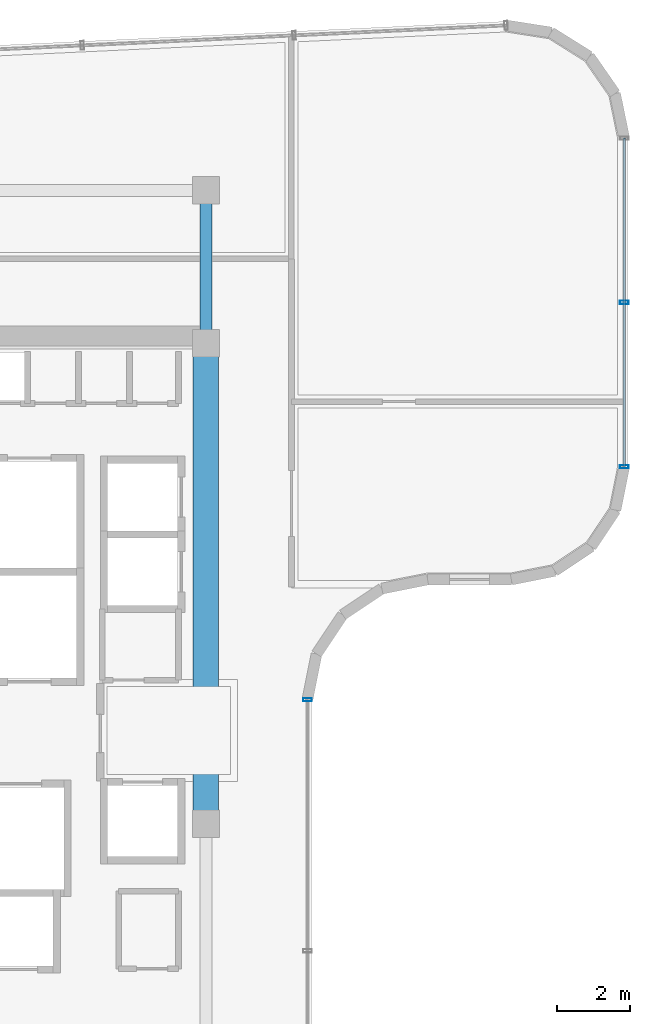
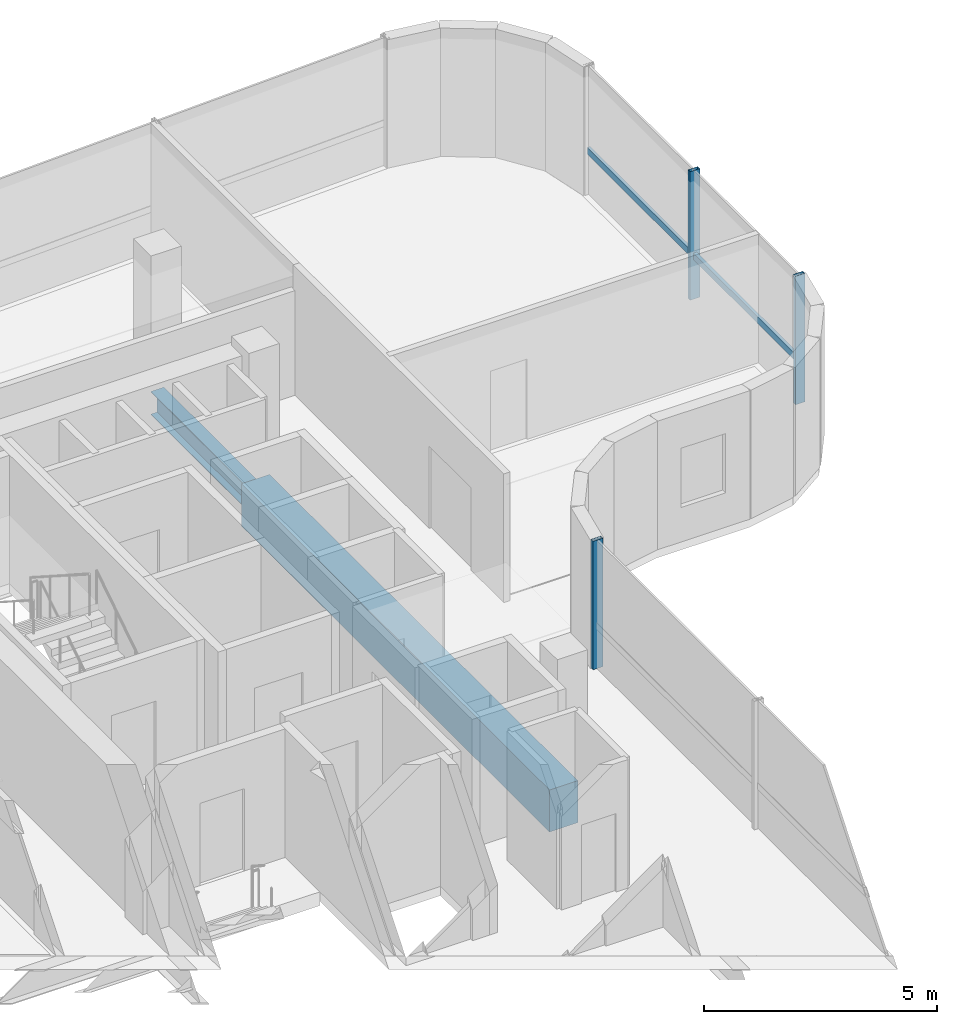
# One storey, part 8 of 17: 4 members, 2 beams, 2 elements without a shape of their own.
"""IFC4 building model written with IfcOpenShell, lengths in metres."""

from ifc_helpers import new_model, si_unit, direction, frame, origin, origin_2d, place, context, subcontext, project, spatial, rectangle, hollow_rectangle, i_section, extrude, source, transform, mapped, material, material_profile, profile_set, type_object, element, aggregate, save


model = new_model("IFC4")

# Units and contexts
model_context = context("Model", 3, precision=1e-05, world=origin(), true_north=direction((0.0, 1.0)))
body_context = subcontext(model_context, "Body", "Model", "MODEL_VIEW")
ifc_project = project(units=[si_unit("LENGTHUNIT", "METRE"), si_unit("AREAUNIT", "SQUARE_METRE"), si_unit("VOLUMEUNIT", "CUBIC_METRE"), si_unit("PLANEANGLEUNIT", "RADIAN"), si_unit("MASSUNIT", "GRAM", prefix="KILO")], contexts=[model_context])

# Site, building, storey
site_placement = place(None, origin())
site = spatial("IfcSite", under=ifc_project, at=site_placement, CompositionType="ELEMENT")
building_placement = place(site_placement, origin())
building = spatial("IfcBuilding", under=site, at=building_placement, Name="Valdorenza Pilgrim Sanctuary Tower", CompositionType="ELEMENT")
storey_placement = place(building_placement, frame((0.0, 0.0, 287.0)))
storey = spatial("IfcBuildingStorey", under=building, at=storey_placement, Name="L75", CompositionType="ELEMENT", Elevation=287.0)

# Beams
ifc_material_1 = material(Name="Concrete C50/60", Category="concrete")
ifc_material_profile_1 = material_profile(ifc_material_1, rectangle(XDim=0.699951171875, YDim=1.10009765625, at=origin_2d()), Name="RC 1100x700")
ifc_profile_set_1 = profile_set([ifc_material_profile_1], Name="Concrete C50/60")
beam_type_1 = type_object("IfcBeamType", Name="STR-BM-LNT-1100", PredefinedType="LINTEL", material=ifc_profile_set_1)
shared_shape_1 = source(origin(), body_context, "Body", "SweptSolid", [
    extrude(rectangle(XDim=0.699951171875, YDim=1.10009765625, at=origin_2d()), origin(), (0.0, 0.0, 1.0), 13.2001953125),
])
beam_1_placement = place(storey_placement, frame((-12.39990234375, -2.60009765625, -0.590087890625), z_axis=(0.0, 1.0, 0.0), x_axis=(-1.0, 0.0, 0.0)))
element("IfcBeam", 1, at=beam_1_placement, inside=storey, type_object=beam_type_1, Name="L75 Core A Coupling Lintel Girder", PredefinedType="LINTEL", context=body_context, shape_type="MappedRepresentation", body=[
    mapped(shared_shape_1, transform((0.0, 0.0, 0.0), x_axis=(1.0, 0.0, 0.0), y_axis=(0.0, 1.0, 0.0), z_axis=(0.0, 0.0, 1.0), scale=1.0)),
])
ifc_material_2 = material(Name="Steel ASTM A992 Grade 50", Category="steel")
ifc_material_profile_2 = material_profile(ifc_material_2, i_section(OverallWidth=0.323974609375, OverallDepth=0.611083984375, WebThickness=0.0126953125, FlangeThickness=0.01904296875, at=origin_2d()), Name="W24X104")
ifc_profile_set_2 = profile_set([ifc_material_profile_2], Name="Steel ASTM A992 Grade 50")
beam_type_2 = type_object("IfcBeamType", Name="STR-BM-GRD-W24B", PredefinedType="BEAM", material=ifc_profile_set_2)
shared_shape_2 = source(origin(), body_context, "Body", "SweptSolid", [
    extrude(i_section(OverallWidth=0.323974609375, OverallDepth=0.611083984375, WebThickness=0.0126953125, FlangeThickness=0.01904296875, at=origin_2d()), origin(), (0.0, 0.0, 1.0), 4.199951171875),
])
beam_2_placement = place(storey_placement, frame((-12.39990234375, 10.60009765625, -0.54541015625), z_axis=(0.0, 1.0, 0.0), x_axis=(-1.0, 0.0, 0.0)))
element("IfcBeam", 2, at=beam_2_placement, inside=storey, type_object=beam_type_2, Name="L75 Core Tie Girder CA-E-N1N2", PredefinedType="BEAM", context=body_context, shape_type="MappedRepresentation", body=[
    mapped(shared_shape_2, transform((0.0, 0.0, 0.0), x_axis=(1.0, 0.0, 0.0), y_axis=(0.0, 1.0, 0.0), z_axis=(0.0, 0.0, 1.0), scale=1.0)),
])

# Curtain wall, members
ifc_material_3 = material(Name="Curtain-wall IGU glazing", Category="glass")
curtain_wall_type = type_object("IfcCurtainWallType", Name="CW-SYS-04", PredefinedType="NOTDEFINED", material=ifc_material_3)
curtain_wall_1_placement = place(storey_placement, origin())
curtain_wall_1 = element("IfcCurtainWall", 3, at=curtain_wall_1_placement, inside=storey, type_object=curtain_wall_type, Name="L75 Curtain Wall CW-L75-1-11", PredefinedType="NOTDEFINED")
ifc_material_4 = material(Name="Anodised aluminium AW-6060", Category="aluminium")
ifc_material_profile_3 = material_profile(ifc_material_4, hollow_rectangle(XDim=0.090087890625, YDim=0.239990234375, WallThickness=0.0048828125, at=origin_2d()), Name="ALU-M 240x90x5")
ifc_profile_set_3 = profile_set([ifc_material_profile_3], Name="Anodised aluminium AW-6060")
member_type_1 = type_object("IfcMemberType", Name="CW-MUL-04", PredefinedType="MULLION", material=ifc_profile_set_3)
shared_shape_3 = source(origin(), body_context, "Body", "SweptSolid", [
    extrude(hollow_rectangle(XDim=0.090087890625, YDim=0.239990234375, WallThickness=0.0048828125, at=origin_2d()), origin(), (0.0, 0.0, 1.0), 3.360107421875),
])
member_1_placement = place(storey_placement, frame((-0.909912109375, 11.72265625, 0.0), z_axis=(0.0, 0.0, 1.0), x_axis=(0.0, -1.0, 0.0)))
member_1 = element("IfcMember", 4, at=member_1_placement, type_object=member_type_1, Name="CW-L75-1-11 Mullion 2", PredefinedType="MULLION", context=body_context, shape_type="MappedRepresentation", body=[
    mapped(shared_shape_3, transform((0.0, 0.0, 0.0), x_axis=(1.0, 0.0, 0.0), y_axis=(0.0, 1.0, 0.0), z_axis=(0.0, 0.0, 1.0), scale=1.0)),
])
member_2_placement = place(storey_placement, frame((-0.909912109375, 7.210693359375, 0.0), z_axis=(0.0, 0.0, 1.0), x_axis=(0.0, -1.0, 0.0)))
member_2 = element("IfcMember", 5, at=member_2_placement, type_object=member_type_1, Name="CW-L75-1-11 Mullion 3", PredefinedType="MULLION", context=body_context, shape_type="MappedRepresentation", body=[
    mapped(shared_shape_3, transform((0.0, 0.0, 0.0), x_axis=(1.0, 0.0, 0.0), y_axis=(0.0, 1.0, 0.0), z_axis=(0.0, 0.0, 1.0), scale=1.0)),
])

# Curtain wall, member
curtain_wall_2_placement = place(storey_placement, origin())
curtain_wall_2 = element("IfcCurtainWall", 6, at=curtain_wall_2_placement, inside=storey, type_object=curtain_wall_type, Name="L75 Curtain Wall CW-L75-1-21", PredefinedType="NOTDEFINED")
member_3_placement = place(storey_placement, frame((-9.610107421875, 0.810791015625, 0.0), z_axis=(0.0, 0.0, 1.0), x_axis=(0.0, -1.0, 0.0)))
member_3 = element("IfcMember", 7, at=member_3_placement, type_object=member_type_1, Name="CW-L75-1-21 Mullion 1", PredefinedType="MULLION", context=body_context, shape_type="MappedRepresentation", body=[
    mapped(shared_shape_3, transform((0.0, 0.0, 0.0), x_axis=(1.0, 0.0, 0.0), y_axis=(0.0, 1.0, 0.0), z_axis=(0.0, 0.0, 1.0), scale=1.0)),
])
aggregate(curtain_wall_2, [member_3])

# Member
ifc_material_profile_4 = material_profile(ifc_material_4, hollow_rectangle(XDim=0.080078125, YDim=0.169921875, WallThickness=0.00390625, at=origin_2d()), Name="ALU-T 170x80x4")
ifc_profile_set_4 = profile_set([ifc_material_profile_4], Name="Anodised aluminium AW-6060")
member_type_2 = type_object("IfcMemberType", Name="CW-TRN-04", PredefinedType="USERDEFINED", material=ifc_profile_set_4)
shared_shape_4 = source(origin(), body_context, "Body", "SweptSolid", [
    extrude(hollow_rectangle(XDim=0.080078125, YDim=0.169921875, WallThickness=0.00390625, at=origin_2d()), origin(), (0.0, 0.0, 1.0), 9.023681640625),
])
member_4_placement = place(storey_placement, frame((-0.909912109375, 16.234375, 1.1201171875), z_axis=(0.0, -1.0, 0.0), x_axis=(1.0, 0.0, 0.0)))
member_4 = element("IfcMember", 8, at=member_4_placement, type_object=member_type_2, Name="CW-L75-1-11 Transom 1", ObjectType="TRANSOM", PredefinedType="USERDEFINED", context=body_context, shape_type="MappedRepresentation", body=[
    mapped(shared_shape_4, transform((0.0, 0.0, 0.0), x_axis=(1.0, 0.0, 0.0), y_axis=(0.0, 1.0, 0.0), z_axis=(0.0, 0.0, 1.0), scale=1.0)),
])

aggregate(curtain_wall_1, [member_1, member_2, member_4])

save(model, "model.ifc")
